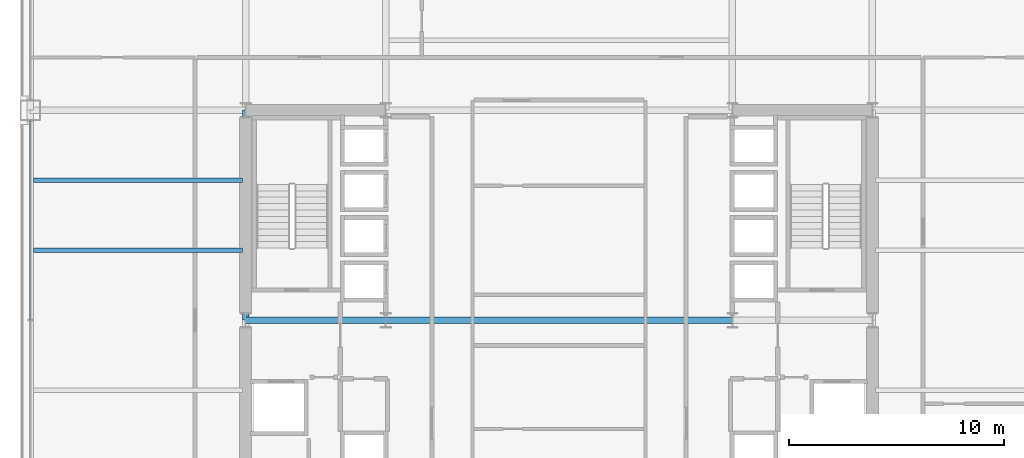
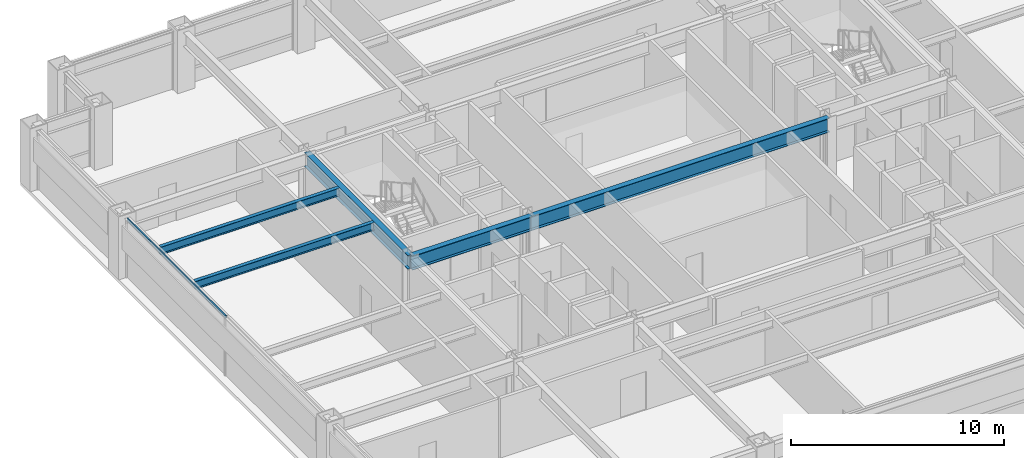
# One storey, part 9 of 31: 5 beams, 1 member, 1 element without a shape of its own.
"""IFC4 building model written with IfcOpenShell, lengths in metres."""

import ifcopenshell
import ifcopenshell.guid

model = None  # the IFC model being written
_history = None  # IfcOwnerHistory: only IFC2X3 demands one
_inside = {}  # id of a spatial element -> (the spatial element, [elements in it])
_under = {}  # id of a project, library or spatial element -> (it, [spatial elements below it])
_declared = {}  # id of a project -> (the project, [libraries it declares])
_typed = {}  # id of a type object -> (the type object, [elements of that type])
_made_of = {}  # id of a material, layer set ... -> (it, [elements and type objects made of it])


def new_model(schema):
    """Start an empty IFC model of exactly this schema.

    Asked for "IFC4X3", IfcOpenShell would pick the latest addendum, in which some entities
    have other attributes; the version numbers below select the first issue.
    IFC2X3 requires an IfcOwnerHistory on every rooted entity: one is made here for all.
    """
    global model, _history
    if schema == "IFC4X3":
        model = ifcopenshell.file(schema_version=(4, 3, 0, 0))
    else:
        model = ifcopenshell.file(schema=schema)
    _inside.clear()
    _under.clear()
    _declared.clear()
    _typed.clear()
    _made_of.clear()
    _history = None
    if model.schema == "IFC2X3":
        org = make("IfcOrganization", Name="unknown")
        user = make(
            "IfcPersonAndOrganization",
            ThePerson=make("IfcPerson", FamilyName="unknown"),
            TheOrganization=org,
        )
        app = make(
            "IfcApplication",
            ApplicationDeveloper=org,
            Version="unknown",
            ApplicationFullName="unknown",
            ApplicationIdentifier="unknown",
        )
        _history = make(
            "IfcOwnerHistory",
            OwningUser=user,
            OwningApplication=app,
            ChangeAction="ADDED",
            CreationDate=0,
        )
    return model


def make(cls, **values):
    """One entity of the class cls with the attributes given. An attribute that is None is left unset."""
    return model.create_entity(
        cls, **{name: value for name, value in values.items() if value is not None}
    )


def rooted(cls, **values):
    """An entity with a GlobalId (a new one), such as an element, a storey or a relation."""
    return make(cls, GlobalId=ifcopenshell.guid.new(), OwnerHistory=_history, **values)


def si_unit(unit_type, name, prefix=None):
    """IfcSIUnit, for example si_unit("LENGTHUNIT", "METRE", prefix="MILLI")."""
    return make("IfcSIUnit", UnitType=unit_type, Prefix=prefix, Name=name)


def assignment(units):
    """IfcUnitAssignment: the units of a project."""
    return None if units is None else make("IfcUnitAssignment", Units=units)


def point(xyz):
    """IfcCartesianPoint."""
    return None if xyz is None else make("IfcCartesianPoint", Coordinates=xyz)


def direction(xyz):
    """IfcDirection."""
    return None if xyz is None else make("IfcDirection", DirectionRatios=xyz)


def frame(location, z_axis=None, x_axis=None):
    """IfcAxis2Placement3D, a coordinate frame: its origin and axes. An axis left out is left unset."""
    return make(
        "IfcAxis2Placement3D",
        Location=point(location),
        Axis=direction(z_axis),
        RefDirection=direction(x_axis),
    )


def frame_2d(location, x_axis=None):
    """IfcAxis2Placement2D, a coordinate frame in the plane: its origin and x axis."""
    return make(
        "IfcAxis2Placement2D", Location=point(location), RefDirection=direction(x_axis)
    )


def origin():
    """The frame at (0, 0, 0) with its axes left unset."""
    return frame((0.0, 0.0, 0.0))


def origin_2d():
    """The frame at (0, 0) in the plane with its x axis left unset."""
    return frame_2d((0.0, 0.0))


def place(relative_to, where):
    """IfcLocalPlacement: puts the frame where relative to a parent placement (None: the world)."""
    return make(
        "IfcLocalPlacement", PlacementRelTo=relative_to, RelativePlacement=where
    )


def context(
    kind, dimensions, precision=None, world=None, true_north=None, identifier=None
):
    """IfcGeometricRepresentationContext, for example the 3D "Model" context."""
    return make(
        "IfcGeometricRepresentationContext",
        ContextIdentifier=identifier,
        ContextType=kind,
        CoordinateSpaceDimension=dimensions,
        Precision=precision,
        WorldCoordinateSystem=world,
        TrueNorth=true_north,
    )


def subcontext(parent, identifier, kind, view, scale=None):
    """IfcGeometricRepresentationSubContext, for example "Body" below "Model"."""
    return make(
        "IfcGeometricRepresentationSubContext",
        ContextIdentifier=identifier,
        ContextType=kind,
        ParentContext=parent,
        TargetScale=scale,
        TargetView=view,
    )


def project(units=None, contexts=None):
    """IfcProject with its units and contexts."""
    return rooted(
        "IfcProject",
        Name="project",
        RepresentationContexts=contexts,
        UnitsInContext=assignment(units),
    )


def spatial(cls, under=None, at=None, **own):
    """A site, building, storey or space (cls), placed at a placement, below another one or the project."""
    s = rooted(cls, ObjectPlacement=at, **own)
    if under is not None:
        _under.setdefault(under.id(), (under, []))[1].append(s)
    return s


def profile(cls, at=None, kind="AREA", **sizes):
    """A parametric profile (cls). Its sizes go by their IFC names, for example OverallWidth=200.0."""
    return make(cls, ProfileType=kind, Position=at, **sizes)


def hollow_rectangle(**sizes):
    """IfcRectangleHollowProfileDef."""
    return profile("IfcRectangleHollowProfileDef", **sizes)


def i_section(**sizes):
    """IfcIShapeProfileDef."""
    return profile("IfcIShapeProfileDef", **sizes)


def extrude(swept, where, along, depth):
    """IfcExtrudedAreaSolid: the profile swept, set in the frame where, extruded along a direction by depth."""
    return make(
        "IfcExtrudedAreaSolid",
        SweptArea=swept,
        Position=where,
        ExtrudedDirection=direction(along),
        Depth=depth,
    )


def shape(context_of_items, identifier, shape_type, items):
    """IfcShapeRepresentation: the items that make up one representation, for example the "Body"."""
    return make(
        "IfcShapeRepresentation",
        ContextOfItems=context_of_items,
        RepresentationIdentifier=identifier,
        RepresentationType=shape_type,
        Items=items,
    )


def material(Name=None, Category=None):
    """IfcMaterial."""
    return make("IfcMaterial", Name=Name, Category=Category)


def layer(
    of_material, thickness, ventilated=None, Name=None, Category=None, Priority=None
):
    """IfcMaterialLayer: one layer of a wall or slab, of a material (None: an air gap)."""
    return make(
        "IfcMaterialLayer",
        Material=of_material,
        LayerThickness=thickness,
        IsVentilated=ventilated,
        Name=Name,
        Category=Category,
        Priority=Priority,
    )


def layer_set(layers, Name=None):
    """IfcMaterialLayerSet."""
    return make("IfcMaterialLayerSet", MaterialLayers=layers, LayerSetName=Name)


def material_profile(
    of_material, cross_section, Name=None, Category=None, Priority=None
):
    """IfcMaterialProfile: a cross section and its material."""
    return make(
        "IfcMaterialProfile",
        Name=Name,
        Material=of_material,
        Profile=cross_section,
        Priority=Priority,
        Category=Category,
    )


def profile_set(profiles, Name=None, composite=None):
    """IfcMaterialProfileSet."""
    return make(
        "IfcMaterialProfileSet",
        Name=Name,
        MaterialProfiles=profiles,
        CompositeProfile=composite,
    )


def made_of(thing, what):
    """Note that an element or type object is made of a material, layer set ...; save() writes the relation."""
    if what is not None:
        _made_of.setdefault(what.id(), (what, []))[1].append(thing)
    return thing


def type_object(cls, material=None, **own):
    """A type object (cls), such as IfcWallType, which elements share."""
    return made_of(rooted(cls, **own), material)


def element(
    cls,
    number,
    at=None,
    inside=None,
    cuts=None,
    type_object=None,
    material=None,
    context=None,
    identifier="Body",
    shape_type=None,
    held_by="IfcProductDefinitionShape",
    body=None,
    shapes=None,
    **own,
):
    """One element of the class cls, such as IfcWall. Its Tag is "e" and its number.

    at: its placement. inside: the storey or other place that contains it. cuts: it is an
    opening in that element (IfcRelVoidsElement). A single representation is given by context,
    identifier, shape_type and body (its items); several are given by shapes. held_by: the class
    of the entity that holds the representations. save() writes the other relations.
    """
    e = rooted(cls, Tag="e%d" % number, ObjectPlacement=at, **own)
    if body is not None:
        shapes = [shape(context, identifier, shape_type, body)]
    if shapes is not None:
        e.Representation = make(held_by, Representations=shapes)
    if inside is not None:
        _inside.setdefault(inside.id(), (inside, []))[1].append(e)
    if cuts is not None:
        rooted(
            "IfcRelVoidsElement", RelatingBuildingElement=cuts, RelatedOpeningElement=e
        )
    if type_object is not None:
        _typed.setdefault(type_object.id(), (type_object, []))[1].append(e)
    return made_of(e, material)


def aggregate(whole, parts):
    """IfcRelAggregates: a whole, such as a stair, and the parts it consists of."""
    return rooted("IfcRelAggregates", RelatingObject=whole, RelatedObjects=parts)


def save(model, path):
    """Write the relations noted so far, then the file.

    IfcRelAggregates (storeys below a building ...), IfcRelContainedInSpatialStructure (elements
    in a storey), IfcRelDefinesByType, IfcRelAssociatesMaterial and IfcRelDeclares: one each for
    every whole, place, type object, material and project.
    """
    for whole, parts in _under.values():
        aggregate(whole, parts)
    for where, things in _inside.values():
        rooted(
            "IfcRelContainedInSpatialStructure",
            RelatedElements=things,
            RelatingStructure=where,
        )
    for kind, things in _typed.values():
        rooted("IfcRelDefinesByType", RelatedObjects=things, RelatingType=kind)
    for what, things in _made_of.values():
        rooted("IfcRelAssociatesMaterial", RelatedObjects=things, RelatingMaterial=what)
    for by, libraries in _declared.values():
        rooted("IfcRelDeclares", RelatingContext=by, RelatedDefinitions=libraries)
    model.write(path)


model = new_model("IFC4")

# Units and contexts
model_context = context("Model", 3, precision=1e-05, world=origin(), true_north=direction((0.0, 1.0)))
body_context = subcontext(model_context, "Body", "Model", "MODEL_VIEW")
ifc_project = project(units=[si_unit("LENGTHUNIT", "METRE"), si_unit("AREAUNIT", "SQUARE_METRE"), si_unit("VOLUMEUNIT", "CUBIC_METRE"), si_unit("PLANEANGLEUNIT", "RADIAN"), si_unit("MASSUNIT", "GRAM", prefix="KILO")], contexts=[model_context])

# Site, building, storey
site_placement = place(None, origin())
site = spatial("IfcSite", under=ifc_project, at=site_placement, CompositionType="ELEMENT")
building_placement = place(site_placement, origin())
building = spatial("IfcBuilding", under=site, at=building_placement, Name="Brelmoor Portico Tower", CompositionType="ELEMENT")
storey_placement = place(building_placement, frame((0.0, 0.0, 27.60009765625)))
storey = spatial("IfcBuildingStorey", under=building, at=storey_placement, Name="L06", CompositionType="ELEMENT", Elevation=27.60009765625)

# Beams
ifc_material_1 = material(Name="Steel Q355B", Category="steel")
ifc_material_profile_1 = material_profile(ifc_material_1, i_section(OverallWidth=0.199951171875, OverallDepth=0.449951171875, WebThickness=0.009033203125, FlangeThickness=0.013916015625, at=origin_2d()), Name="HN 450x200x9x14")
ifc_profile_set_1 = profile_set([ifc_material_profile_1], Name="Steel Q355B")
beam_type_1 = type_object("IfcBeamType", Name="BM-JS-450", PredefinedType="JOIST", material=ifc_profile_set_1)
for number, where, z_axis, x_axis, name in (
    (1, (-24.39990234375, 3.25, 3.1748046875), (1.0, 0.0, 0.0), (0.0, 1.0, 0.0), "L06 Secondary Wing Joist JS-W07"),
    (2, (-24.39990234375, 6.5, 3.1748046875), (1.0, 0.0, 0.0), (0.0, 1.0, 0.0), "L06 Secondary Wing Joist JS-W08"),
):
    element("IfcBeam", number, at=place(storey_placement, frame(where, z_axis=z_axis, x_axis=x_axis)), inside=storey, type_object=beam_type_1, Name=name, PredefinedType="JOIST", context=body_context, shape_type="SweptSolid", body=[
        extrude(i_section(OverallWidth=0.199951171875, OverallDepth=0.449951171875, WebThickness=0.009033203125, FlangeThickness=0.013916015625, at=origin_2d()), origin(), (0.0, 0.0, 1.0), 9.699951171875),
    ])
ifc_material_profile_2 = material_profile(ifc_material_1, i_section(OverallWidth=0.300048828125, OverallDepth=0.800048828125, WebThickness=0.013916015625, FlangeThickness=0.02587890625, at=origin_2d()), Name="HN 800x300x14x26")
ifc_profile_set_2 = profile_set([ifc_material_profile_2], Name="Steel Q355B")
beam_type_2 = type_object("IfcBeamType", Name="BM-PG-800", PredefinedType="BEAM", material=ifc_profile_set_2)
beam_1_placement = place(storey_placement, frame((-14.550048828125, 0.0, 3.0), z_axis=(0.0, 1.0, 0.0), x_axis=(-1.0, 0.0, 0.0)))
element("IfcBeam", 3, at=beam_1_placement, inside=storey, type_object=beam_type_2, Name="L06 Primary Floor Girder PG-05", PredefinedType="BEAM", context=body_context, shape_type="SweptSolid", body=[
    extrude(i_section(OverallWidth=0.300048828125, OverallDepth=0.800048828125, WebThickness=0.013916015625, FlangeThickness=0.02587890625, at=origin_2d()), origin(), (0.0, 0.0, 1.0), 9.75),
])
beam_2_placement = place(storey_placement, frame((-14.550048828125, 0.0, 3.0), z_axis=(1.0, 0.0, 0.0), x_axis=(0.0, 1.0, 0.0)))
element("IfcBeam", 4, at=beam_2_placement, inside=storey, type_object=beam_type_2, Name="L06 Primary Floor Girder PG-24", PredefinedType="BEAM", context=body_context, shape_type="SweptSolid", body=[
    extrude(i_section(OverallWidth=0.300048828125, OverallDepth=0.800048828125, WebThickness=0.013916015625, FlangeThickness=0.02587890625, at=origin_2d()), origin(), (0.0, 0.0, 1.0), 6.5),
])
beam_3_placement = place(storey_placement, frame((-8.050048828125, 0.0, 3.0), z_axis=(1.0, 0.0, 0.0), x_axis=(0.0, 1.0, 0.0)))
element("IfcBeam", 5, at=beam_3_placement, inside=storey, type_object=beam_type_2, Name="L06 Primary Floor Girder PG-25", PredefinedType="BEAM", context=body_context, shape_type="SweptSolid", body=[
    extrude(i_section(OverallWidth=0.300048828125, OverallDepth=0.800048828125, WebThickness=0.013916015625, FlangeThickness=0.02587890625, at=origin_2d()), origin(), (0.0, 0.0, 1.0), 16.10009765625),
])

# Curtain wall, member
ifc_material_2 = material(Name="Anodised Aluminium Alloy 6063-T6", Category="aluminium")
ifc_layer = layer(ifc_material_2, 0.179931640625)
ifc_layer_set = layer_set([ifc_layer], Name="Anodised Aluminium Alloy 6063-T6")
curtain_wall_type = type_object("IfcCurtainWallType", Name="CW-TOWER-Z1-XB", PredefinedType="NOTDEFINED", material=ifc_layer_set)
curtain_wall_placement = place(storey_placement, origin())
curtain_wall = element("IfcCurtainWall", 6, at=curtain_wall_placement, inside=storey, type_object=curtain_wall_type, Name="L06 Curtain Wall CW-L06-03-2", PredefinedType="NOTDEFINED")
ifc_material_profile_3 = material_profile(ifc_material_2, hollow_rectangle(XDim=0.06494140625, YDim=0.139892578125, WallThickness=0.00390625, at=origin_2d()), Name="ALU TRANSOM 65x140")
ifc_profile_set_3 = profile_set([ifc_material_profile_3], Name="Anodised Aluminium Alloy 6063-T6")
member_type = type_object("IfcMemberType", Name="MB-CW-TRAN-140", PredefinedType="USERDEFINED", material=ifc_profile_set_3)
member_placement = place(storey_placement, frame((-24.550048828125, 0.0, 3.329833984375), z_axis=(0.0, 1.0, 0.0), x_axis=(-1.0, 0.0, 0.0)))
member = element("IfcMember", 7, at=member_placement, type_object=member_type, Name="CW-L06-03-2 Transom 1-01", ObjectType="TRANSOM", PredefinedType="USERDEFINED", context=body_context, shape_type="SweptSolid", body=[
    extrude(hollow_rectangle(XDim=0.06494140625, YDim=0.139892578125, WallThickness=0.00390625, at=origin_2d()), origin(), (0.0, 0.0, 1.0), 9.264892578125),
])
aggregate(curtain_wall, [member])

save(model, "model.ifc")
